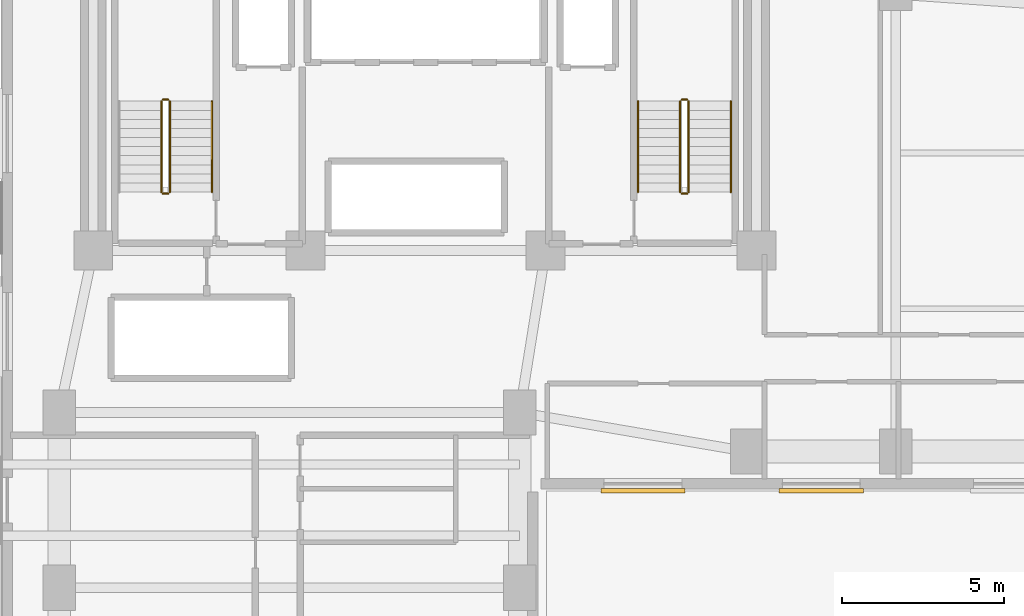
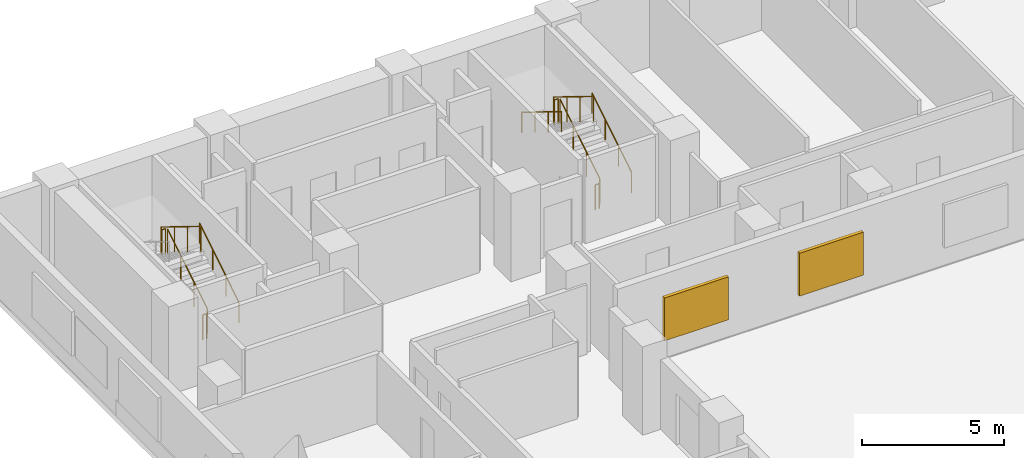
# One storey, part 8 of 10: 11 railings, 2 shading devices.
"""IFC4 building model written with IfcOpenShell, lengths in metres."""

from ifc_helpers import new_model, si_unit, direction, frame, origin, origin_2d, place, context, subcontext, project, spatial, rectangle, circle, extrude, material, layer, layer_set, type_object, element, save


model = new_model("IFC4")

# Units and contexts
model_context = context("Model", 3, precision=1e-05, world=origin(), true_north=direction((0.0, 1.0)))
body_context = subcontext(model_context, "Body", "Model", "MODEL_VIEW")
ifc_project = project(units=[si_unit("LENGTHUNIT", "METRE"), si_unit("AREAUNIT", "SQUARE_METRE"), si_unit("VOLUMEUNIT", "CUBIC_METRE"), si_unit("PLANEANGLEUNIT", "RADIAN"), si_unit("MASSUNIT", "GRAM", prefix="KILO")], contexts=[model_context])

# Site, building, storey
site_placement = place(None, origin())
site = spatial("IfcSite", under=ifc_project, at=site_placement, CompositionType="ELEMENT")
building_placement = place(site_placement, origin())
building = spatial("IfcBuilding", under=site, at=building_placement, Name="Kuzgunbayir Cultural Tower", CompositionType="ELEMENT")
storey_placement = place(building_placement, frame((0.0, 0.0, 26.39990234375)))
storey = spatial("IfcBuildingStorey", under=building, at=storey_placement, Name="L06", CompositionType="ELEMENT", Elevation=26.39990234375)

# Railings
ifc_material_1 = material(Name="Brushed Stainless Steel", Category="steel")
ifc_layer_1 = layer(ifc_material_1, 0.050048828125)
ifc_layer_set_1 = layer_set([ifc_layer_1], Name="Brushed Stainless Steel")
railing_type_1 = type_object("IfcRailingType", Name="RLG-STAIR-HANDRAIL", PredefinedType="HANDRAIL", material=ifc_layer_set_1)
for number, where, name in (
    (1, (10.110107421875, 35.60009765625, 0.1728515625), "L06 ST-1 stair handrail 1"),
    (2, (26.110107421875, 35.60009765625, 0.1728515625), "L06 ST-2 stair handrail 1"),
):
    element("IfcRailing", number, at=place(storey_placement, frame(where)), inside=storey, type_object=railing_type_1, Name=name, PredefinedType="HANDRAIL", context=body_context, shape_type="SweptSolid", body=[
        extrude(circle(Radius=0.02392578125, at=origin_2d()), frame((0.0, 0.0, 0.8759765625), z_axis=(0.0, 0.851069175582, 0.525053576669), x_axis=(-1.0, 0.0, 0.0)), (0.0, 0.0, 1.0), 3.289794921875),
        extrude(circle(Radius=0.02099609375, at=origin_2d()), origin(), (0.0, 0.0, 1.0), 0.851806640625),
        extrude(circle(Radius=0.02099609375, at=origin_2d()), frame((0.0, 0.933349609375, 0.57568359375)), (0.0, 0.0, 1.0), 0.851806640625),
        extrude(circle(Radius=0.02099609375, at=origin_2d()), frame((0.0, 1.866455078125, 1.151611328125)), (0.0, 0.0, 1.0), 0.851806640625),
        extrude(circle(Radius=0.02099609375, at=origin_2d()), frame((0.0, 2.7998046875, 1.727294921875)), (0.0, 0.0, 1.0), 0.851806640625),
    ])
railing_1_placement = place(storey_placement, frame((23.25, 38.39990234375, 2.07275390625)))
element("IfcRailing", 3, at=railing_1_placement, inside=storey, type_object=railing_type_1, Name="L06 ST-2 stair handrail 2", PredefinedType="HANDRAIL", context=body_context, shape_type="SweptSolid", body=[
    extrude(circle(Radius=0.02392578125, at=origin_2d()), frame((0.0, 0.0, 0.8759765625), z_axis=(0.0, -0.851069175582, 0.525053576669), x_axis=(1.0, 0.0, 0.0)), (0.0, 0.0, 1.0), 3.289794921875),
    extrude(circle(Radius=0.02099609375, at=origin_2d()), origin(), (0.0, 0.0, 1.0), 0.851806640625),
    extrude(circle(Radius=0.02099609375, at=origin_2d()), frame((0.0, -0.933349609375, 0.57568359375)), (0.0, 0.0, 1.0), 0.851806640625),
    extrude(circle(Radius=0.02099609375, at=origin_2d()), frame((0.0, -1.866455078125, 1.151611328125)), (0.0, 0.0, 1.0), 0.851806640625),
    extrude(circle(Radius=0.02099609375, at=origin_2d()), frame((0.0, -2.7998046875, 1.727294921875)), (0.0, 0.0, 1.0), 0.851806640625),
])
ifc_material_2 = material(Name="Painted Steel Balustrade", Category="steel")
ifc_layer_2 = layer(ifc_material_2, 0.06005859375)
ifc_layer_set_2 = layer_set([ifc_layer_2], Name="Painted Steel Balustrade")
railing_type_2 = type_object("IfcRailingType", Name="RLG-WELL-GUARD", PredefinedType="GUARDRAIL", material=ifc_layer_set_2)
railing_2_placement = place(storey_placement, frame((8.81005859375, 35.60009765625, 0.1728515625)))
element("IfcRailing", 4, at=railing_2_placement, inside=storey, type_object=railing_type_2, Name="L06 ST-1 stair guard 1", PredefinedType="GUARDRAIL", context=body_context, shape_type="SweptSolid", body=[
    extrude(circle(Radius=0.02392578125, at=origin_2d()), frame((0.0, 0.0, 1.076171875), z_axis=(0.0, 0.851069175582, 0.525053576669), x_axis=(-1.0, 0.0, 0.0)), (0.0, 0.0, 1.0), 3.289794921875),
    extrude(circle(Radius=0.02099609375, at=origin_2d()), origin(), (0.0, 0.0, 1.0), 1.052001953125),
    extrude(circle(Radius=0.02099609375, at=origin_2d()), frame((0.0, 0.933349609375, 0.57568359375)), (0.0, 0.0, 1.0), 1.052001953125),
    extrude(circle(Radius=0.02099609375, at=origin_2d()), frame((0.0, 1.866455078125, 1.151611328125)), (0.0, 0.0, 1.0), 1.052001953125),
    extrude(circle(Radius=0.02099609375, at=origin_2d()), frame((0.0, 2.7998046875, 1.727294921875)), (0.0, 0.0, 1.0), 1.052001953125),
])
railing_3_placement = place(storey_placement, frame((8.760009765625, 38.449951171875, 1.900146484375)))
element("IfcRailing", 5, at=railing_3_placement, inside=storey, type_object=railing_type_2, Name="L06 ST-1 stair guard 2", PredefinedType="GUARDRAIL", context=body_context, shape_type="SweptSolid", body=[
    extrude(circle(Radius=0.02392578125, at=origin_2d()), frame((0.0, 0.0, 1.076171875), z_axis=(-1.0, 0.0, 0.0), x_axis=(0.0, -1.0, 0.0)), (0.0, 0.0, 1.0), 0.159912109375),
    extrude(circle(Radius=0.02099609375, at=origin_2d()), origin(), (0.0, 0.0, 1.0), 1.052001953125),
    extrude(circle(Radius=0.02099609375, at=origin_2d()), frame((-0.159912109375, 0.0, 0.0)), (0.0, 0.0, 1.0), 1.052001953125),
])
railing_4_placement = place(storey_placement, frame((8.550048828125, 38.39990234375, 2.07275390625)))
element("IfcRailing", 6, at=railing_4_placement, inside=storey, type_object=railing_type_2, Name="L06 ST-1 stair guard 3", PredefinedType="GUARDRAIL", context=body_context, shape_type="SweptSolid", body=[
    extrude(circle(Radius=0.02392578125, at=origin_2d()), frame((0.0, 0.0, 1.076171875), z_axis=(0.0, -0.851069175582, 0.525053576669), x_axis=(1.0, 0.0, 0.0)), (0.0, 0.0, 1.0), 3.289794921875),
    extrude(circle(Radius=0.02099609375, at=origin_2d()), origin(), (0.0, 0.0, 1.0), 1.052001953125),
    extrude(circle(Radius=0.02099609375, at=origin_2d()), frame((0.0, -0.933349609375, 0.57568359375)), (0.0, 0.0, 1.0), 1.052001953125),
    extrude(circle(Radius=0.02099609375, at=origin_2d()), frame((0.0, -1.866455078125, 1.151611328125)), (0.0, 0.0, 1.0), 1.052001953125),
    extrude(circle(Radius=0.02099609375, at=origin_2d()), frame((0.0, -2.7998046875, 1.727294921875)), (0.0, 0.0, 1.0), 1.052001953125),
])
railing_5_placement = place(storey_placement, frame((8.760009765625, 35.550048828125, 0.0)))
element("IfcRailing", 7, at=railing_5_placement, inside=storey, type_object=railing_type_2, Name="L06 ST-1 stair guard 4", PredefinedType="GUARDRAIL", context=body_context, shape_type="SweptSolid", body=[
    extrude(circle(Radius=0.02392578125, at=origin_2d()), frame((0.0, 0.0, 1.076171875), z_axis=(-1.0, 0.0, 0.0), x_axis=(0.0, -1.0, 0.0)), (0.0, 0.0, 1.0), 0.159912109375),
    extrude(circle(Radius=0.02099609375, at=origin_2d()), origin(), (0.0, 0.0, 1.0), 1.052001953125),
    extrude(circle(Radius=0.02099609375, at=origin_2d()), frame((-0.159912109375, 0.0, 0.0)), (0.0, 0.0, 1.0), 1.052001953125),
])
railing_6_placement = place(storey_placement, frame((24.81005859375, 35.60009765625, 0.1728515625)))
element("IfcRailing", 8, at=railing_6_placement, inside=storey, type_object=railing_type_2, Name="L06 ST-2 stair guard 1", PredefinedType="GUARDRAIL", context=body_context, shape_type="SweptSolid", body=[
    extrude(circle(Radius=0.02392578125, at=origin_2d()), frame((0.0, 0.0, 1.076171875), z_axis=(0.0, 0.851069175582, 0.525053576669), x_axis=(-1.0, 0.0, 0.0)), (0.0, 0.0, 1.0), 3.289794921875),
    extrude(circle(Radius=0.02099609375, at=origin_2d()), origin(), (0.0, 0.0, 1.0), 1.052001953125),
    extrude(circle(Radius=0.02099609375, at=origin_2d()), frame((0.0, 0.933349609375, 0.57568359375)), (0.0, 0.0, 1.0), 1.052001953125),
    extrude(circle(Radius=0.02099609375, at=origin_2d()), frame((0.0, 1.866455078125, 1.151611328125)), (0.0, 0.0, 1.0), 1.052001953125),
    extrude(circle(Radius=0.02099609375, at=origin_2d()), frame((0.0, 2.7998046875, 1.727294921875)), (0.0, 0.0, 1.0), 1.052001953125),
])
railing_7_placement = place(storey_placement, frame((24.760009765625, 38.449951171875, 1.900146484375)))
element("IfcRailing", 9, at=railing_7_placement, inside=storey, type_object=railing_type_2, Name="L06 ST-2 stair guard 2", PredefinedType="GUARDRAIL", context=body_context, shape_type="SweptSolid", body=[
    extrude(circle(Radius=0.02392578125, at=origin_2d()), frame((0.0, 0.0, 1.076171875), z_axis=(-1.0, 0.0, 0.0), x_axis=(0.0, -1.0, 0.0)), (0.0, 0.0, 1.0), 0.159912109375),
    extrude(circle(Radius=0.02099609375, at=origin_2d()), origin(), (0.0, 0.0, 1.0), 1.052001953125),
    extrude(circle(Radius=0.02099609375, at=origin_2d()), frame((-0.159912109375, 0.0, 0.0)), (0.0, 0.0, 1.0), 1.052001953125),
])
railing_8_placement = place(storey_placement, frame((24.550048828125, 38.39990234375, 2.07275390625)))
element("IfcRailing", 10, at=railing_8_placement, inside=storey, type_object=railing_type_2, Name="L06 ST-2 stair guard 3", PredefinedType="GUARDRAIL", context=body_context, shape_type="SweptSolid", body=[
    extrude(circle(Radius=0.02392578125, at=origin_2d()), frame((0.0, 0.0, 1.076171875), z_axis=(0.0, -0.851069175582, 0.525053576669), x_axis=(1.0, 0.0, 0.0)), (0.0, 0.0, 1.0), 3.289794921875),
    extrude(circle(Radius=0.02099609375, at=origin_2d()), origin(), (0.0, 0.0, 1.0), 1.052001953125),
    extrude(circle(Radius=0.02099609375, at=origin_2d()), frame((0.0, -0.933349609375, 0.57568359375)), (0.0, 0.0, 1.0), 1.052001953125),
    extrude(circle(Radius=0.02099609375, at=origin_2d()), frame((0.0, -1.866455078125, 1.151611328125)), (0.0, 0.0, 1.0), 1.052001953125),
    extrude(circle(Radius=0.02099609375, at=origin_2d()), frame((0.0, -2.7998046875, 1.727294921875)), (0.0, 0.0, 1.0), 1.052001953125),
])
railing_9_placement = place(storey_placement, frame((24.760009765625, 35.550048828125, 0.0)))
element("IfcRailing", 11, at=railing_9_placement, inside=storey, type_object=railing_type_2, Name="L06 ST-2 stair guard 4", PredefinedType="GUARDRAIL", context=body_context, shape_type="SweptSolid", body=[
    extrude(circle(Radius=0.02392578125, at=origin_2d()), frame((0.0, 0.0, 1.076171875), z_axis=(-1.0, 0.0, 0.0), x_axis=(0.0, -1.0, 0.0)), (0.0, 0.0, 1.0), 0.159912109375),
    extrude(circle(Radius=0.02099609375, at=origin_2d()), origin(), (0.0, 0.0, 1.0), 1.052001953125),
    extrude(circle(Radius=0.02099609375, at=origin_2d()), frame((-0.159912109375, 0.0, 0.0)), (0.0, 0.0, 1.0), 1.052001953125),
])

# Shading devices
ifc_material_3 = material(Name="Perforated Bronze-Anodised Aluminium", Category="aluminium")
shading_device_type = type_object("IfcShadingDeviceType", Name="SHD-SOLAR-BRONZE", PredefinedType="JALOUSIE", material=ifc_material_3)
for number, where, z_axis, x_axis, name in (
    (12, (23.39990234375, 26.389892578125, 0.824951171875), (0.0, 0.0, 1.0), (1.0, 0.0, 0.0), "L06 Solar Screen WBS8"),
    (13, (28.89990234375, 26.389892578125, 0.824951171875), (0.0, 0.0, 1.0), (1.0, 0.0, 0.0), "L06 Solar Screen WBS9"),
):
    element("IfcShadingDevice", number, at=place(storey_placement, frame(where, z_axis=z_axis, x_axis=x_axis)), inside=storey, type_object=shading_device_type, Name=name, PredefinedType="JALOUSIE", context=body_context, shape_type="SweptSolid", body=[
        extrude(rectangle(XDim=2.60009765625, YDim=0.139892578125, at=origin_2d()), origin(), (0.0, 0.0, 1.0), 1.85009765625),
    ])

save(model, "model.ifc")
